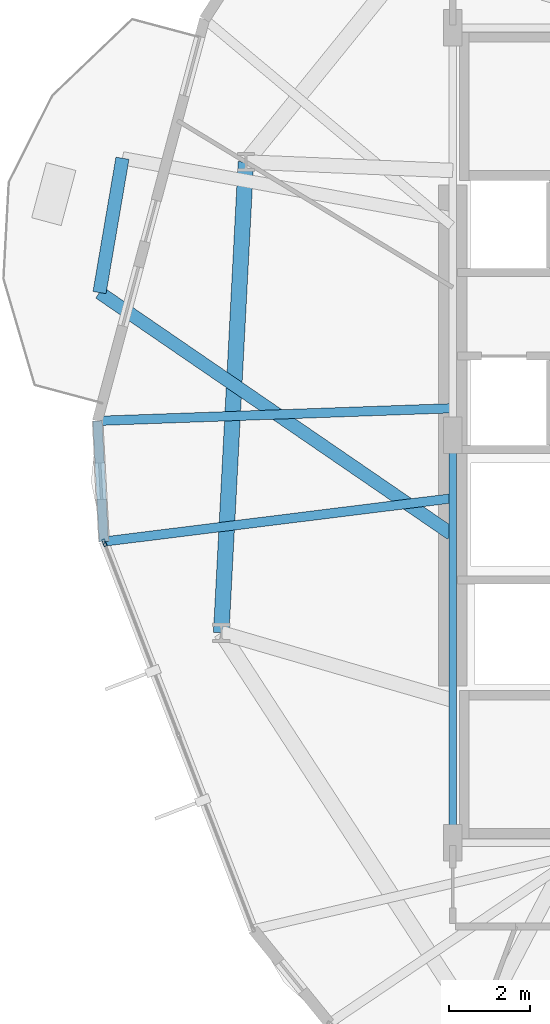
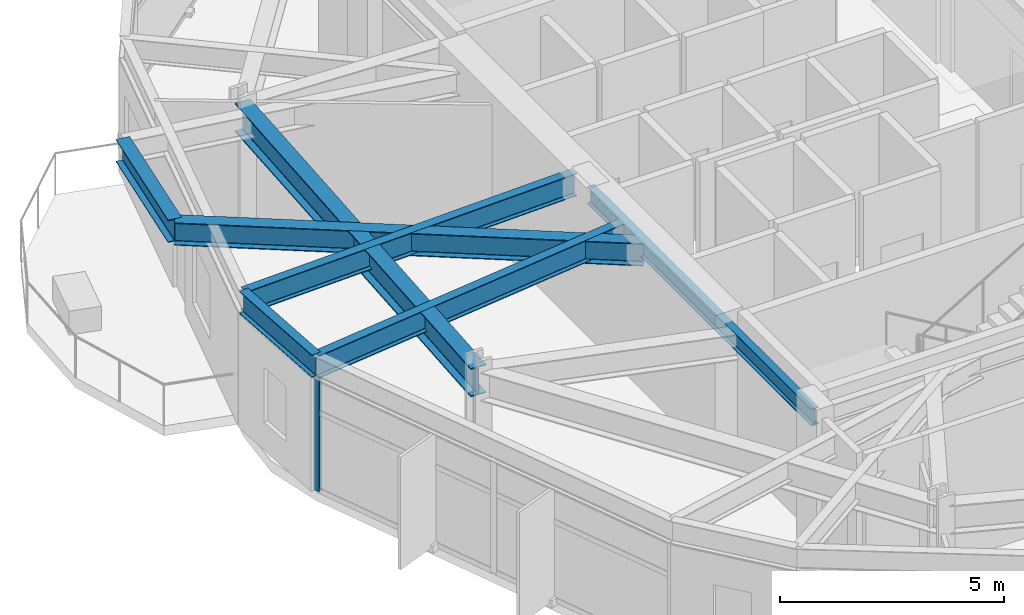
# One storey, part 7 of 23: 7 beams, 1 member, 1 element without a shape of its own.
"""IFC4 building model written with IfcOpenShell, lengths in metres."""

from ifc_helpers import new_model, si_unit, direction, frame, origin, origin_2d, place, context, subcontext, project, spatial, hollow_rectangle, i_section, extrude, material, layer, layer_set, material_profile, profile_set, type_object, element, aggregate, save


model = new_model("IFC4")

# Units and contexts
model_context = context("Model", 3, precision=1e-05, world=origin(), true_north=direction((0.0, 1.0)))
body_context = subcontext(model_context, "Body", "Model", "MODEL_VIEW")
ifc_project = project(units=[si_unit("LENGTHUNIT", "METRE"), si_unit("AREAUNIT", "SQUARE_METRE"), si_unit("VOLUMEUNIT", "CUBIC_METRE"), si_unit("PLANEANGLEUNIT", "RADIAN"), si_unit("MASSUNIT", "GRAM", prefix="KILO")], contexts=[model_context])

# Site, building, storey
site_placement = place(None, origin())
site = spatial("IfcSite", under=ifc_project, at=site_placement, CompositionType="ELEMENT")
building_placement = place(site_placement, origin())
building = spatial("IfcBuilding", under=site, at=building_placement, Name="Soratama Intermodal Tower", CompositionType="ELEMENT")
storey_placement = place(building_placement, frame((0.0, 0.0, 38.60009765625)))
storey = spatial("IfcBuildingStorey", under=building, at=storey_placement, Name="L08", CompositionType="ELEMENT", Elevation=38.60009765625)

# Beams
ifc_material_1 = material(Name="Structural steel ASTM A992 Grade 50", Category="steel")
ifc_material_profile_1 = material_profile(ifc_material_1, i_section(OverallWidth=0.324951171875, OverallDepth=0.615966796875, WebThickness=0.013916015625, FlangeThickness=0.021484375, FilletRadius=0.013916015625, at=origin_2d()), Name="W24X117")
ifc_profile_set_1 = profile_set([ifc_material_profile_1], Name="Structural steel ASTM A992 Grade 50")
beam_type_1 = type_object("IfcBeamType", Name="BM-CANT-W24X117", PredefinedType="BEAM", material=ifc_profile_set_1)
beam_1_placement = place(storey_placement, frame((24.493896484375, 31.801025390625, 3.391845703125), z_axis=(-0.168315490952, -0.985733176628, 0.0), x_axis=(0.985733176628, -0.168315490952, 0.0)))
element("IfcBeam", 1, at=beam_1_placement, inside=storey, type_object=beam_type_1, Name="BM-L08-CBHDR-3", PredefinedType="BEAM", context=body_context, shape_type="SweptSolid", body=[
    extrude(i_section(OverallWidth=0.324951171875, OverallDepth=0.615966796875, WebThickness=0.013916015625, FlangeThickness=0.021484375, FilletRadius=0.013916015625, at=origin_2d()), origin(), (0.0, 0.0, 1.0), 3.3447265625),
])
beam_2_placement = place(storey_placement, frame((32.56689453125, 22.58203125, 3.391845703125), z_axis=(-0.824726366271, 0.565531980331, 0.0), x_axis=(-0.565531980331, -0.824726366271, 0.0)))
element("IfcBeam", 2, at=beam_2_placement, inside=storey, type_object=beam_type_1, Name="BM-L08-CANT-3-2", PredefinedType="BEAM", context=body_context, shape_type="SweptSolid", body=[
    extrude(i_section(OverallWidth=0.324951171875, OverallDepth=0.615966796875, WebThickness=0.013916015625, FlangeThickness=0.021484375, FilletRadius=0.013916015625, at=origin_2d()), origin(), (0.0, 0.0, 1.0), 10.471435546875),
])
ifc_material_2 = material(Name="Structural steel ASTM A992 Grade 50", Category="steel")
ifc_material_profile_2 = material_profile(ifc_material_2, i_section(OverallWidth=0.19091796875, OverallDepth=0.4599609375, WebThickness=0.010009765625, FlangeThickness=0.01611328125, FilletRadius=0.010986328125, at=origin_2d()), Name="W18X55")
ifc_profile_set_2 = profile_set([ifc_material_profile_2], Name="Structural steel ASTM A992 Grade 50")
beam_type_2 = type_object("IfcBeamType", Name="BM-FLR-W18X55", PredefinedType="BEAM", material=ifc_profile_set_2)
beam_3_placement = place(storey_placement, frame((32.60009765625, 25.0, 3.469970703125), z_axis=(0.0, -1.0, 0.0), x_axis=(1.0, 0.0, 0.0)))
element("IfcBeam", 3, at=beam_3_placement, inside=storey, type_object=beam_type_2, Name="BM-L08-CRING-09", PredefinedType="BEAM", context=body_context, shape_type="SweptSolid", body=[
    extrude(i_section(OverallWidth=0.19091796875, OverallDepth=0.4599609375, WebThickness=0.010009765625, FlangeThickness=0.01611328125, FilletRadius=0.010986328125, at=origin_2d()), origin(), (0.0, 0.0, 1.0), 10.0),
])
ifc_material_3 = material(Name="Structural steel ASTM A992 Grade 50", Category="steel")
ifc_material_profile_3 = material_profile(ifc_material_3, i_section(OverallWidth=0.382080078125, OverallDepth=0.779052734375, WebThickness=0.01806640625, FlangeThickness=0.030029296875, FilletRadius=0.01806640625, at=origin_2d()), Name="W30X191")
ifc_profile_set_3 = profile_set([ifc_material_profile_3], Name="Structural steel ASTM A992 Grade 50")
beam_type_3 = type_object("IfcBeamType", Name="BM-RING-W30X191", PredefinedType="BEAM", material=ifc_profile_set_3)
beam_4_placement = place(storey_placement, frame((27.52294921875, 31.708984375, 3.310302734375), z_axis=(-0.052289698717, -0.998631957935, 0.0), x_axis=(0.998631957935, -0.052289698717, 0.0)))
element("IfcBeam", 4, at=beam_4_placement, inside=storey, type_object=beam_type_3, Name="BM-L08-RING-05", PredefinedType="BEAM", context=body_context, shape_type="SweptSolid", body=[
    extrude(i_section(OverallWidth=0.382080078125, OverallDepth=0.779052734375, WebThickness=0.01806640625, FlangeThickness=0.030029296875, FilletRadius=0.01806640625, at=origin_2d()), origin(), (0.0, 0.0, 1.0), 11.56982421875),
])
ifc_material_4 = material(Name="Structural steel ASTM A992 Grade 50", Category="steel")
ifc_material_profile_4 = material_profile(ifc_material_4, i_section(OverallWidth=0.22900390625, OverallDepth=0.612060546875, WebThickness=0.011962890625, FlangeThickness=0.01953125, FilletRadius=0.012939453125, at=origin_2d()), Name="W24X84")
ifc_profile_set_4 = profile_set([ifc_material_profile_4], Name="Structural steel ASTM A992 Grade 50")
beam_type_4 = type_object("IfcBeamType", Name="BM-SPN-W24X84", PredefinedType="SPANDREL", material=ifc_profile_set_4)
beam_5_placement = place(storey_placement, frame((23.8798828125, 25.35595703125, 3.393798828125), z_axis=(0.05333643557, -0.998576599286, 0.0), x_axis=(0.998576599286, 0.05333643557, 0.0)))
element("IfcBeam", 5, at=beam_5_placement, inside=storey, type_object=beam_type_4, Name="BS-L08-CRN05", PredefinedType="SPANDREL", context=body_context, shape_type="SweptSolid", body=[
    extrude(i_section(OverallWidth=0.22900390625, OverallDepth=0.612060546875, WebThickness=0.011962890625, FlangeThickness=0.01953125, FilletRadius=0.012939453125, at=origin_2d()), origin(), (0.0, 0.0, 1.0), 2.966064453125),
])
ifc_material_5 = material(Name="Structural steel ASTM A992 Grade 50", Category="steel")
ifc_material_profile_5 = material_profile(ifc_material_5, i_section(OverallWidth=0.22900390625, OverallDepth=0.612060546875, WebThickness=0.011962890625, FlangeThickness=0.01953125, FilletRadius=0.012939453125, at=origin_2d()), Name="W24X84")
ifc_profile_set_5 = profile_set([ifc_material_profile_5], Name="Structural steel ASTM A992 Grade 50")
beam_type_5 = type_object("IfcBeamType", Name="BM-TIE-W24X84", PredefinedType="BEAM", material=ifc_profile_set_5)
beam_6_placement = place(storey_placement, frame((32.56005859375, 25.6650390625, 3.393798828125), z_axis=(-0.999366644228, -0.035585255431, 0.0), x_axis=(0.035585255431, -0.999366644228, 0.0)))
element("IfcBeam", 6, at=beam_6_placement, inside=storey, type_object=beam_type_5, Name="BM-L08-TIE1-05", PredefinedType="BEAM", context=body_context, shape_type="SweptSolid", body=[
    extrude(i_section(OverallWidth=0.22900390625, OverallDepth=0.612060546875, WebThickness=0.011962890625, FlangeThickness=0.01953125, FilletRadius=0.012939453125, at=origin_2d()), origin(), (0.0, 0.0, 1.0), 8.685791015625),
])
beam_7_placement = place(storey_placement, frame((32.56005859375, 23.452880859375, 3.393798828125), z_axis=(-0.992369454664, -0.123299900443, 0.0), x_axis=(0.123299900443, -0.992369454664, 0.0)))
element("IfcBeam", 7, at=beam_7_placement, inside=storey, type_object=beam_type_5, Name="BM-L08-TIE0-06", PredefinedType="BEAM", context=body_context, shape_type="SweptSolid", body=[
    extrude(i_section(OverallWidth=0.22900390625, OverallDepth=0.612060546875, WebThickness=0.011962890625, FlangeThickness=0.01953125, FilletRadius=0.012939453125, at=origin_2d()), origin(), (0.0, 0.0, 1.0), 8.58740234375),
])

# Curtain wall, member
ifc_material_6 = material(Name="Double-glazed aluminium curtain wall", Category="aluminium")
ifc_layer = layer(ifc_material_6, 0.159912109375)
ifc_layer_set = layer_set([ifc_layer], Name="Double-glazed aluminium curtain wall")
curtain_wall_type = type_object("IfcCurtainWallType", Name="CW-SYS-2", PredefinedType="NOTDEFINED", material=ifc_layer_set)
curtain_wall_placement = place(storey_placement, origin())
curtain_wall = element("IfcCurtainWall", 8, at=curtain_wall_placement, inside=storey, type_object=curtain_wall_type, Name="L08 Faceted Curtain Wall F06", PredefinedType="NOTDEFINED")
ifc_material_7 = material(Name="Anodised aluminium AA 6063-T6", Category="aluminium")
ifc_material_profile_6 = material_profile(ifc_material_7, hollow_rectangle(XDim=0.074951171875, YDim=0.179931640625, WallThickness=0.006103515625, InnerFilletRadius=0.006103515625, OuterFilletRadius=0.011962890625, at=origin_2d()), Name="CWM180X75X6")
ifc_profile_set_6 = profile_set([ifc_material_profile_6], Name="Anodised aluminium AA 6063-T6")
member_type = type_object("IfcMemberType", Name="MT-CWM-2", PredefinedType="MULLION", material=ifc_profile_set_6)
member_placement = place(storey_placement, frame((24.049072265625, 22.365966796875, 0.0), z_axis=(0.0, 0.0, 1.0), x_axis=(0.93320632625, 0.359340997727, 0.0)))
member = element("IfcMember", 9, at=member_placement, type_object=member_type, Name="CW-2 mullion 1", PredefinedType="MULLION", context=body_context, shape_type="SweptSolid", body=[
    extrude(hollow_rectangle(XDim=0.074951171875, YDim=0.179931640625, WallThickness=0.006103515625, InnerFilletRadius=0.006103515625, OuterFilletRadius=0.011962890625, at=origin_2d()), origin(), (0.0, 0.0, 1.0), 3.078857421875),
])
aggregate(curtain_wall, [member])

save(model, "model.ifc")
